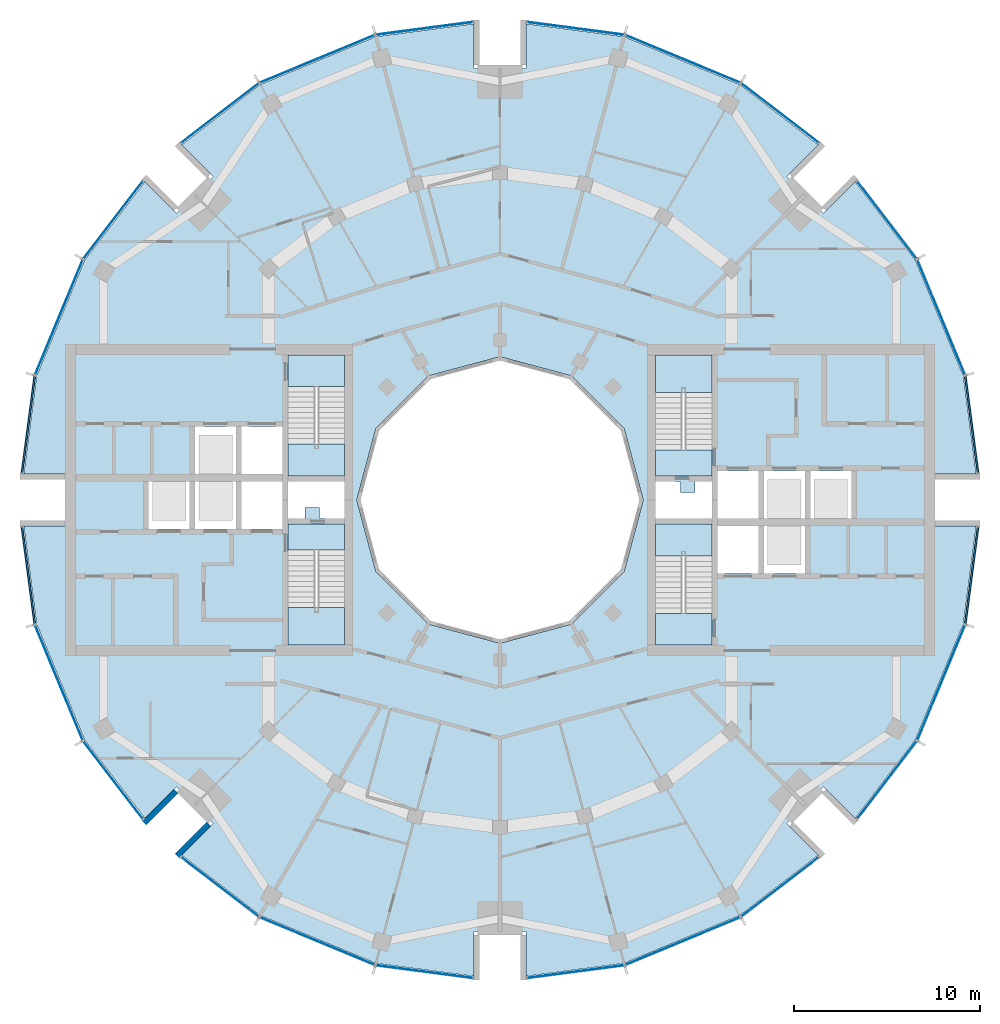
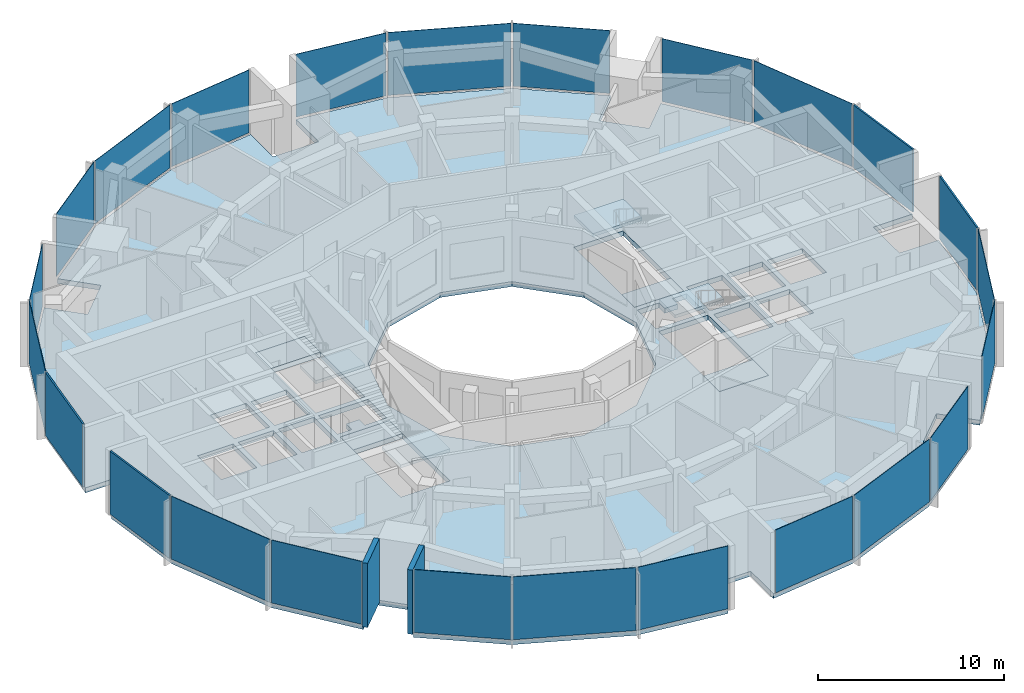
# One storey, part 7 of 15: 24 plates, 9 slabs, 2 walls, 28 elements without a shape of their own.
"""IFC4 building model written with IfcOpenShell, lengths in metres."""

from ifc_helpers import new_model, si_unit, direction, frame, frame_2d, origin, origin_2d, place, context, subcontext, project, spatial, polyline, rectangle, outline, extrude, material, layer, layer_set, type_object, element, aggregate, save


model = new_model("IFC4")

# Units and contexts
model_context = context("Model", 3, precision=1e-05, world=origin(), true_north=direction((0.0, 1.0)))
body_context = subcontext(model_context, "Body", "Model", "MODEL_VIEW")
ifc_project = project(units=[si_unit("LENGTHUNIT", "METRE"), si_unit("AREAUNIT", "SQUARE_METRE"), si_unit("VOLUMEUNIT", "CUBIC_METRE"), si_unit("PLANEANGLEUNIT", "RADIAN"), si_unit("MASSUNIT", "GRAM", prefix="KILO")], contexts=[model_context])

# Site, building, storey
site_placement = place(None, origin())
site = spatial("IfcSite", under=ifc_project, at=site_placement, CompositionType="ELEMENT")
building_placement = place(site_placement, origin())
building = spatial("IfcBuilding", under=site, at=building_placement, Name="Torre Brocal", CompositionType="ELEMENT")
storey_placement = place(building_placement, frame((0.0, 0.0, 225.10009765625)))
storey = spatial("IfcBuildingStorey", under=building, at=storey_placement, Name="L52", CompositionType="ELEMENT", Elevation=225.10009765625)

# Curtain wall, plate
ifc_material_1 = material(Name="Aluminium and glass", Category="aluminium")
ifc_layer_1 = layer(ifc_material_1, 0.199951171875)
ifc_layer_set_1 = layer_set([ifc_layer_1], Name="Aluminium and glass")
curtain_wall_type_1 = type_object("IfcCurtainWallType", Name="CW-1 CURTAIN WALL 4200 HIGH", PredefinedType="NOTDEFINED", material=ifc_layer_set_1)
curtain_wall_1_placement = place(storey_placement, origin())
curtain_wall_1 = element("IfcCurtainWall", 1, at=curtain_wall_1_placement, inside=storey, type_object=curtain_wall_type_1, Name="CW-1 RUN 2", PredefinedType="NOTDEFINED")
ifc_material_2 = material(Name="Glass, dark tinted laminated", Category="glass")
ifc_layer_2 = layer(ifc_material_2, 0.031982421875)
ifc_layer_set_2 = layer_set([ifc_layer_2], Name="Glass, dark tinted laminated")
plate_type_1 = type_object("IfcPlateType", Name="CW-1 GLASS PANEL 32", PredefinedType="CURTAIN_PANEL", material=ifc_layer_set_2)
plate_1_placement = place(storey_placement, frame((103.722900390625, 84.826416015625, 0.079833984375), z_axis=(0.0, 0.0, 1.0), x_axis=(-0.382683432333, 0.923879532525, 0.0)))
plate_1 = element("IfcPlate", 2, at=plate_1_placement, type_object=plate_type_1, Name="CW1-5 panel 1.1", PredefinedType="CURTAIN_PANEL", context=body_context, shape_type="SweptSolid", body=[
    extrude(rectangle(XDim=6.64111328125, YDim=0.031982421875, at=origin_2d()), origin(), (0.0, 0.0, 1.0), 4.1201171875),
])
aggregate(curtain_wall_1, [plate_1])

curtain_wall_2_placement = place(storey_placement, origin())
curtain_wall_2 = element("IfcCurtainWall", 3, at=curtain_wall_2_placement, inside=storey, type_object=curtain_wall_type_1, Name="CW-1 RUN 3", PredefinedType="NOTDEFINED")
plate_2_placement = place(storey_placement, frame((100.80126953125, 90.0712890625, 0.079833984375), z_axis=(0.0, 0.0, 1.0), x_axis=(-0.60876142905, 0.793353340259, 0.0)))
plate_2 = element("IfcPlate", 4, at=plate_2_placement, type_object=plate_type_1, Name="CW1-5 panel 1.1", PredefinedType="CURTAIN_PANEL", context=body_context, shape_type="SweptSolid", body=[
    extrude(rectangle(XDim=5.22900390625, YDim=0.031982421875, at=origin_2d()), origin(), (0.0, 0.0, 1.0), 4.1201171875),
])
aggregate(curtain_wall_2, [plate_2])

curtain_wall_3_placement = place(storey_placement, origin())
curtain_wall_3 = element("IfcCurtainWall", 5, at=curtain_wall_3_placement, inside=storey, type_object=curtain_wall_type_1, Name="CW-1 RUN 4", PredefinedType="NOTDEFINED")
plate_3_placement = place(storey_placement, frame((95.0712890625, 95.80126953125, 0.079833984375), z_axis=(0.0, 0.0, 1.0), x_axis=(-0.793353340259, 0.60876142905, 0.0)))
plate_3 = element("IfcPlate", 6, at=plate_3_placement, type_object=plate_type_1, Name="CW1-5 panel 1.1", PredefinedType="CURTAIN_PANEL", context=body_context, shape_type="SweptSolid", body=[
    extrude(rectangle(XDim=5.22900390625, YDim=0.031982421875, at=origin_2d()), origin(), (0.0, 0.0, 1.0), 4.1201171875),
])
aggregate(curtain_wall_3, [plate_3])

curtain_wall_4_placement = place(storey_placement, origin())
curtain_wall_4 = element("IfcCurtainWall", 7, at=curtain_wall_4_placement, inside=storey, type_object=curtain_wall_type_1, Name="CW-1 RUN 5", PredefinedType="NOTDEFINED")
plate_4_placement = place(storey_placement, frame((89.826416015625, 98.722900390625, 0.079833984375), z_axis=(0.0, 0.0, 1.0), x_axis=(-0.923879532525, 0.382683432333, 0.0)))
plate_4 = element("IfcPlate", 8, at=plate_4_placement, type_object=plate_type_1, Name="CW1-5 panel 1.1", PredefinedType="CURTAIN_PANEL", context=body_context, shape_type="SweptSolid", body=[
    extrude(rectangle(XDim=6.64111328125, YDim=0.031982421875, at=origin_2d()), origin(), (0.0, 0.0, 1.0), 4.1201171875),
])
aggregate(curtain_wall_4, [plate_4])

curtain_wall_5_placement = place(storey_placement, origin())
curtain_wall_5 = element("IfcCurtainWall", 9, at=curtain_wall_5_placement, inside=storey, type_object=curtain_wall_type_1, Name="CW-1 RUN 6", PredefinedType="NOTDEFINED")
plate_5_placement = place(storey_placement, frame((84.051513671875, 100.36572265625, 0.079833984375), z_axis=(0.0, 0.0, 1.0), x_axis=(-0.991444861374, 0.13052619222, 0.0)))
plate_5 = element("IfcPlate", 10, at=plate_5_placement, type_object=plate_type_1, Name="CW1-5 panel 1.1", PredefinedType="CURTAIN_PANEL", context=body_context, shape_type="SweptSolid", body=[
    extrude(rectangle(XDim=5.22900390625, YDim=0.031982421875, at=origin_2d()), origin(), (0.0, 0.0, 1.0), 4.1201171875),
])
aggregate(curtain_wall_5, [plate_5])

curtain_wall_6_placement = place(storey_placement, origin())
curtain_wall_6 = element("IfcCurtainWall", 11, at=curtain_wall_6_placement, inside=storey, type_object=curtain_wall_type_1, Name="CW-1 RUN 7", PredefinedType="NOTDEFINED")
plate_6_placement = place(storey_placement, frame((75.948486328125, 100.36572265625, 0.079833984375), z_axis=(0.0, 0.0, 1.0), x_axis=(-0.991444861374, -0.13052619222, 0.0)))
plate_6 = element("IfcPlate", 12, at=plate_6_placement, type_object=plate_type_1, Name="CW1-5 panel 1.1", PredefinedType="CURTAIN_PANEL", context=body_context, shape_type="SweptSolid", body=[
    extrude(rectangle(XDim=5.22900390625, YDim=0.031982421875, at=origin_2d()), origin(), (0.0, 0.0, 1.0), 4.1201171875),
])
aggregate(curtain_wall_6, [plate_6])

curtain_wall_7_placement = place(storey_placement, origin())
curtain_wall_7 = element("IfcCurtainWall", 13, at=curtain_wall_7_placement, inside=storey, type_object=curtain_wall_type_1, Name="CW-1 RUN 8", PredefinedType="NOTDEFINED")
plate_7_placement = place(storey_placement, frame((70.173583984375, 98.722900390625, 0.079833984375), z_axis=(0.0, 0.0, 1.0), x_axis=(-0.923879532525, -0.382683432333, 0.0)))
plate_7 = element("IfcPlate", 14, at=plate_7_placement, type_object=plate_type_1, Name="CW1-5 panel 1.1", PredefinedType="CURTAIN_PANEL", context=body_context, shape_type="SweptSolid", body=[
    extrude(rectangle(XDim=6.64111328125, YDim=0.031982421875, at=origin_2d()), origin(), (0.0, 0.0, 1.0), 4.1201171875),
])
aggregate(curtain_wall_7, [plate_7])

curtain_wall_8_placement = place(storey_placement, origin())
curtain_wall_8 = element("IfcCurtainWall", 15, at=curtain_wall_8_placement, inside=storey, type_object=curtain_wall_type_1, Name="CW-1 RUN 9", PredefinedType="NOTDEFINED")
plate_8_placement = place(storey_placement, frame((64.9287109375, 95.80126953125, 0.079833984375), z_axis=(0.0, 0.0, 1.0), x_axis=(-0.793353340259, -0.60876142905, 0.0)))
plate_8 = element("IfcPlate", 16, at=plate_8_placement, type_object=plate_type_1, Name="CW1-5 panel 1.1", PredefinedType="CURTAIN_PANEL", context=body_context, shape_type="SweptSolid", body=[
    extrude(rectangle(XDim=5.22900390625, YDim=0.031982421875, at=origin_2d()), origin(), (0.0, 0.0, 1.0), 4.1201171875),
])
aggregate(curtain_wall_8, [plate_8])

curtain_wall_9_placement = place(storey_placement, origin())
curtain_wall_9 = element("IfcCurtainWall", 17, at=curtain_wall_9_placement, inside=storey, type_object=curtain_wall_type_1, Name="CW-1 RUN 10", PredefinedType="NOTDEFINED")
plate_9_placement = place(storey_placement, frame((59.19873046875, 90.0712890625, 0.079833984375), z_axis=(0.0, 0.0, 1.0), x_axis=(-0.60876142905, -0.793353340259, 0.0)))
plate_9 = element("IfcPlate", 18, at=plate_9_placement, type_object=plate_type_1, Name="CW1-5 panel 1.1", PredefinedType="CURTAIN_PANEL", context=body_context, shape_type="SweptSolid", body=[
    extrude(rectangle(XDim=5.22900390625, YDim=0.031982421875, at=origin_2d()), origin(), (0.0, 0.0, 1.0), 4.1201171875),
])
aggregate(curtain_wall_9, [plate_9])

curtain_wall_10_placement = place(storey_placement, origin())
curtain_wall_10 = element("IfcCurtainWall", 19, at=curtain_wall_10_placement, inside=storey, type_object=curtain_wall_type_1, Name="CW-1 RUN 11", PredefinedType="NOTDEFINED")
plate_10_placement = place(storey_placement, frame((56.277099609375, 84.826416015625, 0.079833984375), z_axis=(0.0, 0.0, 1.0), x_axis=(-0.382683432333, -0.923879532525, 0.0)))
plate_10 = element("IfcPlate", 20, at=plate_10_placement, type_object=plate_type_1, Name="CW1-5 panel 1.1", PredefinedType="CURTAIN_PANEL", context=body_context, shape_type="SweptSolid", body=[
    extrude(rectangle(XDim=6.64111328125, YDim=0.031982421875, at=origin_2d()), origin(), (0.0, 0.0, 1.0), 4.1201171875),
])
aggregate(curtain_wall_10, [plate_10])

curtain_wall_11_placement = place(storey_placement, origin())
curtain_wall_11 = element("IfcCurtainWall", 21, at=curtain_wall_11_placement, inside=storey, type_object=curtain_wall_type_1, Name="CW-1 RUN 14", PredefinedType="NOTDEFINED")
plate_11_placement = place(storey_placement, frame((56.277099609375, 65.173583984375, 0.079833984375), z_axis=(0.0, 0.0, 1.0), x_axis=(0.382683432333, -0.923879532525, 0.0)))
plate_11 = element("IfcPlate", 22, at=plate_11_placement, type_object=plate_type_1, Name="CW1-5 panel 1.1", PredefinedType="CURTAIN_PANEL", context=body_context, shape_type="SweptSolid", body=[
    extrude(rectangle(XDim=6.64111328125, YDim=0.031982421875, at=origin_2d()), origin(), (0.0, 0.0, 1.0), 4.1201171875),
])
aggregate(curtain_wall_11, [plate_11])

curtain_wall_12_placement = place(storey_placement, origin())
curtain_wall_12 = element("IfcCurtainWall", 23, at=curtain_wall_12_placement, inside=storey, type_object=curtain_wall_type_1, Name="CW-1 RUN 15", PredefinedType="NOTDEFINED")
plate_12_placement = place(storey_placement, frame((59.19873046875, 59.9287109375, 0.079833984375), z_axis=(0.0, 0.0, 1.0), x_axis=(0.60876142905, -0.793353340259, 0.0)))
plate_12 = element("IfcPlate", 24, at=plate_12_placement, type_object=plate_type_1, Name="CW1-5 panel 1.1", PredefinedType="CURTAIN_PANEL", context=body_context, shape_type="SweptSolid", body=[
    extrude(rectangle(XDim=5.22900390625, YDim=0.031982421875, at=origin_2d()), origin(), (0.0, 0.0, 1.0), 4.1201171875),
])
aggregate(curtain_wall_12, [plate_12])

curtain_wall_13_placement = place(storey_placement, origin())
curtain_wall_13 = element("IfcCurtainWall", 25, at=curtain_wall_13_placement, inside=storey, type_object=curtain_wall_type_1, Name="CW-1 RUN 16", PredefinedType="NOTDEFINED")
plate_13_placement = place(storey_placement, frame((64.9287109375, 54.19873046875, 0.079833984375), z_axis=(0.0, 0.0, 1.0), x_axis=(0.793353340259, -0.60876142905, 0.0)))
plate_13 = element("IfcPlate", 26, at=plate_13_placement, type_object=plate_type_1, Name="CW1-5 panel 1.1", PredefinedType="CURTAIN_PANEL", context=body_context, shape_type="SweptSolid", body=[
    extrude(rectangle(XDim=5.22900390625, YDim=0.031982421875, at=origin_2d()), origin(), (0.0, 0.0, 1.0), 4.1201171875),
])
aggregate(curtain_wall_13, [plate_13])

curtain_wall_14_placement = place(storey_placement, origin())
curtain_wall_14 = element("IfcCurtainWall", 27, at=curtain_wall_14_placement, inside=storey, type_object=curtain_wall_type_1, Name="CW-1 RUN 17", PredefinedType="NOTDEFINED")
plate_14_placement = place(storey_placement, frame((70.173583984375, 51.277099609375, 0.079833984375), z_axis=(0.0, 0.0, 1.0), x_axis=(0.923879532525, -0.382683432333, 0.0)))
plate_14 = element("IfcPlate", 28, at=plate_14_placement, type_object=plate_type_1, Name="CW1-5 panel 1.1", PredefinedType="CURTAIN_PANEL", context=body_context, shape_type="SweptSolid", body=[
    extrude(rectangle(XDim=6.64111328125, YDim=0.031982421875, at=origin_2d()), origin(), (0.0, 0.0, 1.0), 4.1201171875),
])
aggregate(curtain_wall_14, [plate_14])

curtain_wall_15_placement = place(storey_placement, origin())
curtain_wall_15 = element("IfcCurtainWall", 29, at=curtain_wall_15_placement, inside=storey, type_object=curtain_wall_type_1, Name="CW-1 RUN 18", PredefinedType="NOTDEFINED")
plate_15_placement = place(storey_placement, frame((75.948486328125, 49.63427734375, 0.079833984375), z_axis=(0.0, 0.0, 1.0), x_axis=(0.991444861374, -0.13052619222, 0.0)))
plate_15 = element("IfcPlate", 30, at=plate_15_placement, type_object=plate_type_1, Name="CW1-5 panel 1.1", PredefinedType="CURTAIN_PANEL", context=body_context, shape_type="SweptSolid", body=[
    extrude(rectangle(XDim=5.22900390625, YDim=0.031982421875, at=origin_2d()), origin(), (0.0, 0.0, 1.0), 4.1201171875),
])
aggregate(curtain_wall_15, [plate_15])

curtain_wall_16_placement = place(storey_placement, origin())
curtain_wall_16 = element("IfcCurtainWall", 31, at=curtain_wall_16_placement, inside=storey, type_object=curtain_wall_type_1, Name="CW-1 RUN 19", PredefinedType="NOTDEFINED")
plate_16_placement = place(storey_placement, frame((84.051513671875, 49.63427734375, 0.079833984375), z_axis=(0.0, 0.0, 1.0), x_axis=(0.991444861374, 0.13052619222, 0.0)))
plate_16 = element("IfcPlate", 32, at=plate_16_placement, type_object=plate_type_1, Name="CW1-5 panel 1.1", PredefinedType="CURTAIN_PANEL", context=body_context, shape_type="SweptSolid", body=[
    extrude(rectangle(XDim=5.22900390625, YDim=0.031982421875, at=origin_2d()), origin(), (0.0, 0.0, 1.0), 4.1201171875),
])
aggregate(curtain_wall_16, [plate_16])

curtain_wall_17_placement = place(storey_placement, origin())
curtain_wall_17 = element("IfcCurtainWall", 33, at=curtain_wall_17_placement, inside=storey, type_object=curtain_wall_type_1, Name="CW-1 RUN 20", PredefinedType="NOTDEFINED")
plate_17_placement = place(storey_placement, frame((89.826416015625, 51.277099609375, 0.079833984375), z_axis=(0.0, 0.0, 1.0), x_axis=(0.923879532525, 0.382683432333, 0.0)))
plate_17 = element("IfcPlate", 34, at=plate_17_placement, type_object=plate_type_1, Name="CW1-5 panel 1.1", PredefinedType="CURTAIN_PANEL", context=body_context, shape_type="SweptSolid", body=[
    extrude(rectangle(XDim=6.64111328125, YDim=0.031982421875, at=origin_2d()), origin(), (0.0, 0.0, 1.0), 4.1201171875),
])
aggregate(curtain_wall_17, [plate_17])

curtain_wall_18_placement = place(storey_placement, origin())
curtain_wall_18 = element("IfcCurtainWall", 35, at=curtain_wall_18_placement, inside=storey, type_object=curtain_wall_type_1, Name="CW-1 RUN 21", PredefinedType="NOTDEFINED")
plate_18_placement = place(storey_placement, frame((95.0712890625, 54.19873046875, 0.079833984375), z_axis=(0.0, 0.0, 1.0), x_axis=(0.793353340259, 0.60876142905, 0.0)))
plate_18 = element("IfcPlate", 36, at=plate_18_placement, type_object=plate_type_1, Name="CW1-5 panel 1.1", PredefinedType="CURTAIN_PANEL", context=body_context, shape_type="SweptSolid", body=[
    extrude(rectangle(XDim=5.22900390625, YDim=0.031982421875, at=origin_2d()), origin(), (0.0, 0.0, 1.0), 4.1201171875),
])
aggregate(curtain_wall_18, [plate_18])

curtain_wall_19_placement = place(storey_placement, origin())
curtain_wall_19 = element("IfcCurtainWall", 37, at=curtain_wall_19_placement, inside=storey, type_object=curtain_wall_type_1, Name="CW-1 RUN 22", PredefinedType="NOTDEFINED")
plate_19_placement = place(storey_placement, frame((100.80126953125, 59.9287109375, 0.079833984375), z_axis=(0.0, 0.0, 1.0), x_axis=(0.60876142905, 0.793353340259, 0.0)))
plate_19 = element("IfcPlate", 38, at=plate_19_placement, type_object=plate_type_1, Name="CW1-5 panel 1.1", PredefinedType="CURTAIN_PANEL", context=body_context, shape_type="SweptSolid", body=[
    extrude(rectangle(XDim=5.22900390625, YDim=0.031982421875, at=origin_2d()), origin(), (0.0, 0.0, 1.0), 4.1201171875),
])
aggregate(curtain_wall_19, [plate_19])

curtain_wall_20_placement = place(storey_placement, origin())
curtain_wall_20 = element("IfcCurtainWall", 39, at=curtain_wall_20_placement, inside=storey, type_object=curtain_wall_type_1, Name="CW-1 RUN 23", PredefinedType="NOTDEFINED")
plate_20_placement = place(storey_placement, frame((103.722900390625, 65.173583984375, 0.079833984375), z_axis=(0.0, 0.0, 1.0), x_axis=(0.382683432333, 0.923879532525, 0.0)))
plate_20 = element("IfcPlate", 40, at=plate_20_placement, type_object=plate_type_1, Name="CW1-5 panel 1.1", PredefinedType="CURTAIN_PANEL", context=body_context, shape_type="SweptSolid", body=[
    extrude(rectangle(XDim=6.64111328125, YDim=0.031982421875, at=origin_2d()), origin(), (0.0, 0.0, 1.0), 4.1201171875),
])
aggregate(curtain_wall_20, [plate_20])

ifc_material_3 = material(Name="Aluminium and glass", Category="aluminium")
ifc_layer_3 = layer(ifc_material_3, 0.199951171875)
ifc_layer_set_3 = layer_set([ifc_layer_3], Name="Aluminium and glass")
curtain_wall_type_2 = type_object("IfcCurtainWallType", Name="CW-1B CURTAIN WALL 4200 HIGH", PredefinedType="NOTDEFINED", material=ifc_layer_set_3)
curtain_wall_21_placement = place(storey_placement, origin())
curtain_wall_21 = element("IfcCurtainWall", 41, at=curtain_wall_21_placement, inside=storey, type_object=curtain_wall_type_2, Name="CW-1B RUN 1", PredefinedType="NOTDEFINED")
ifc_material_4 = material(Name="Aluminium composite panel", Category="aluminium")
ifc_layer_4 = layer(ifc_material_4, 0.10009765625)
ifc_layer_set_4 = layer_set([ifc_layer_4], Name="Aluminium composite panel")
plate_type_2 = type_object("IfcPlateType", Name="CW-1B OPAQUE PANEL 100", PredefinedType="CURTAIN_PANEL", material=ifc_layer_set_4)
plate_21_placement = place(storey_placement, frame((105.36572265625, 79.051513671875, 0.079833984375), z_axis=(0.0, 0.0, 1.0), x_axis=(-0.13052619222, 0.991444861374, 0.0)))
plate_21 = element("IfcPlate", 42, at=plate_21_placement, type_object=plate_type_2, Name="CW1B-5 panel 1.1", PredefinedType="CURTAIN_PANEL", context=body_context, shape_type="SweptSolid", body=[
    extrude(rectangle(XDim=5.22900390625, YDim=0.10009765625, at=origin_2d()), origin(), (0.0, 0.0, 1.0), 4.1201171875),
])
aggregate(curtain_wall_21, [plate_21])

curtain_wall_22_placement = place(storey_placement, origin())
curtain_wall_22 = element("IfcCurtainWall", 43, at=curtain_wall_22_placement, inside=storey, type_object=curtain_wall_type_2, Name="CW-1B RUN 12", PredefinedType="NOTDEFINED")
plate_22_placement = place(storey_placement, frame((54.63427734375, 79.051513671875, 0.079833984375), z_axis=(0.0, 0.0, 1.0), x_axis=(-0.13052619222, -0.991444861374, 0.0)))
plate_22 = element("IfcPlate", 44, at=plate_22_placement, type_object=plate_type_2, Name="CW1B-5 panel 1.1", PredefinedType="CURTAIN_PANEL", context=body_context, shape_type="SweptSolid", body=[
    extrude(rectangle(XDim=5.22900390625, YDim=0.10009765625, at=origin_2d()), origin(), (0.0, 0.0, 1.0), 4.1201171875),
])
aggregate(curtain_wall_22, [plate_22])

curtain_wall_23_placement = place(storey_placement, origin())
curtain_wall_23 = element("IfcCurtainWall", 45, at=curtain_wall_23_placement, inside=storey, type_object=curtain_wall_type_2, Name="CW-1B RUN 13", PredefinedType="NOTDEFINED")
plate_23_placement = place(storey_placement, frame((54.63427734375, 70.948486328125, 0.079833984375), z_axis=(0.0, 0.0, 1.0), x_axis=(0.13052619222, -0.991444861374, 0.0)))
plate_23 = element("IfcPlate", 46, at=plate_23_placement, type_object=plate_type_2, Name="CW1B-5 panel 1.1", PredefinedType="CURTAIN_PANEL", context=body_context, shape_type="SweptSolid", body=[
    extrude(rectangle(XDim=5.22900390625, YDim=0.10009765625, at=origin_2d()), origin(), (0.0, 0.0, 1.0), 4.1201171875),
])
aggregate(curtain_wall_23, [plate_23])

curtain_wall_24_placement = place(storey_placement, origin())
curtain_wall_24 = element("IfcCurtainWall", 47, at=curtain_wall_24_placement, inside=storey, type_object=curtain_wall_type_2, Name="CW-1B RUN 24", PredefinedType="NOTDEFINED")
plate_24_placement = place(storey_placement, frame((105.36572265625, 70.948486328125, 0.079833984375), z_axis=(0.0, 0.0, 1.0), x_axis=(0.13052619222, 0.991444861374, 0.0)))
plate_24 = element("IfcPlate", 48, at=plate_24_placement, type_object=plate_type_2, Name="CW1B-5 panel 1.1", PredefinedType="CURTAIN_PANEL", context=body_context, shape_type="SweptSolid", body=[
    extrude(rectangle(XDim=5.22900390625, YDim=0.10009765625, at=origin_2d()), origin(), (0.0, 0.0, 1.0), 4.1201171875),
])
aggregate(curtain_wall_24, [plate_24])

# Stair, slab
ifc_material_5 = material(Name="Concrete C50", Category="concrete")
stair_type = type_object("IfcStairType", Name="EXIT STAIR", PredefinedType="HALF_TURN_STAIR", material=ifc_material_5)
stair_1_placement = place(storey_placement, origin())
stair_1 = element("IfcStair", 49, at=stair_1_placement, inside=storey, type_object=stair_type, Name="EXIT STAIR ST1", PredefinedType="HALF_TURN_STAIR")
ifc_material_6 = material(Name="Concrete C50", Category="concrete")
ifc_layer_5 = layer(ifc_material_6, 0.320068359375)
ifc_layer_set_5 = layer_set([ifc_layer_5], Name="Concrete C50")
slab_type_1 = type_object("IfcSlabType", Name="FLOOR LANDING 320", PredefinedType="LANDING", material=ifc_layer_set_5)
slab_1_placement = place(storey_placement, frame((0.0, 0.0, -0.320068359375)))
slab_1 = element("IfcSlab", 50, at=slab_1_placement, type_object=slab_type_1, Name="ST1 landing 1", PredefinedType="LANDING", context=body_context, shape_type="SweptSolid", body=[
    extrude(outline(polyline([(88.35009765625, 76.300048828125), (91.39990234375, 76.300048828125), (91.39990234375, 77.699951171875), (88.35009765625, 77.699951171875), (88.35009765625, 76.300048828125)])), origin(), (0.0, 0.0, 1.0), 0.320068359375),
])

stair_2_placement = place(storey_placement, origin())
stair_2 = element("IfcStair", 51, at=stair_2_placement, inside=storey, type_object=stair_type, Name="EXIT STAIR ST2", PredefinedType="HALF_TURN_STAIR")
slab_2_placement = place(storey_placement, frame((0.0, 0.0, -0.320068359375)))
slab_2 = element("IfcSlab", 52, at=slab_2_placement, type_object=slab_type_1, Name="ST2 landing 1", PredefinedType="LANDING", context=body_context, shape_type="SweptSolid", body=[
    extrude(outline(polyline([(88.35009765625, 67.199951171875), (91.39990234375, 67.199951171875), (91.39990234375, 68.89990234375), (88.35009765625, 68.89990234375), (88.35009765625, 67.199951171875)])), origin(), (0.0, 0.0, 1.0), 0.320068359375),
])

stair_3_placement = place(storey_placement, origin())
stair_3 = element("IfcStair", 53, at=stair_3_placement, inside=storey, type_object=stair_type, Name="EXIT STAIR ST3", PredefinedType="HALF_TURN_STAIR")
slab_3_placement = place(storey_placement, frame((0.0, 0.0, -0.320068359375)))
slab_3 = element("IfcSlab", 54, at=slab_3_placement, type_object=slab_type_1, Name="ST3 landing 1", PredefinedType="LANDING", context=body_context, shape_type="SweptSolid", body=[
    extrude(outline(polyline([(71.64990234375, 73.699951171875), (68.60009765625, 73.699951171875), (68.60009765625, 72.300048828125), (71.64990234375, 72.300048828125), (71.64990234375, 73.699951171875)])), origin(), (0.0, 0.0, 1.0), 0.320068359375),
])

stair_4_placement = place(storey_placement, origin())
stair_4 = element("IfcStair", 55, at=stair_4_placement, inside=storey, type_object=stair_type, Name="EXIT STAIR ST4", PredefinedType="HALF_TURN_STAIR")
slab_4_placement = place(storey_placement, frame((0.0, 0.0, -0.320068359375)))
slab_4 = element("IfcSlab", 56, at=slab_4_placement, type_object=slab_type_1, Name="ST4 landing 1", PredefinedType="LANDING", context=body_context, shape_type="SweptSolid", body=[
    extrude(outline(polyline([(71.64990234375, 82.800048828125), (68.60009765625, 82.800048828125), (68.60009765625, 81.10009765625), (71.64990234375, 81.10009765625), (71.64990234375, 82.800048828125)])), origin(), (0.0, 0.0, 1.0), 0.320068359375),
])

# Slab
ifc_material_7 = material(Name="Concrete C50", Category="concrete")
ifc_layer_6 = layer(ifc_material_7, 0.199951171875)
ifc_layer_set_6 = layer_set([ifc_layer_6], Name="Concrete C50")
slab_type_2 = type_object("IfcSlabType", Name="MID LANDING +2100", PredefinedType="LANDING", material=ifc_layer_set_6)
slab_5_placement = place(storey_placement, frame((0.0, 0.0, 1.89990234375)))
slab_5 = element("IfcSlab", 57, at=slab_5_placement, type_object=slab_type_2, Name="ST1 landing 2", PredefinedType="LANDING", context=body_context, shape_type="SweptSolid", body=[
    extrude(outline(polyline([(88.35009765625, 80.780029296875), (91.39990234375, 80.780029296875), (91.39990234375, 82.800048828125), (88.35009765625, 82.800048828125), (88.35009765625, 80.780029296875)])), origin(), (0.0, 0.0, 1.0), 0.199951171875),
])

aggregate(stair_1, [slab_1, slab_5])

slab_6_placement = place(storey_placement, frame((0.0, 0.0, 1.89990234375)))
slab_6 = element("IfcSlab", 58, at=slab_6_placement, type_object=slab_type_2, Name="ST2 landing 2", PredefinedType="LANDING", context=body_context, shape_type="SweptSolid", body=[
    extrude(outline(polyline([(88.35009765625, 71.97998046875), (91.39990234375, 71.97998046875), (91.39990234375, 73.699951171875), (88.35009765625, 73.699951171875), (88.35009765625, 71.97998046875)])), origin(), (0.0, 0.0, 1.0), 0.199951171875),
])

aggregate(stair_2, [slab_2, slab_6])

slab_7_placement = place(storey_placement, frame((0.0, 0.0, 1.89990234375)))
slab_7 = element("IfcSlab", 59, at=slab_7_placement, type_object=slab_type_2, Name="ST3 landing 2", PredefinedType="LANDING", context=body_context, shape_type="SweptSolid", body=[
    extrude(outline(polyline([(71.64990234375, 69.219970703125), (68.60009765625, 69.219970703125), (68.60009765625, 67.199951171875), (71.64990234375, 67.199951171875), (71.64990234375, 69.219970703125)])), origin(), (0.0, 0.0, 1.0), 0.199951171875),
])

aggregate(stair_3, [slab_3, slab_7])

slab_8_placement = place(storey_placement, frame((0.0, 0.0, 1.89990234375)))
slab_8 = element("IfcSlab", 60, at=slab_8_placement, type_object=slab_type_2, Name="ST4 landing 2", PredefinedType="LANDING", context=body_context, shape_type="SweptSolid", body=[
    extrude(outline(polyline([(71.64990234375, 78.02001953125), (68.60009765625, 78.02001953125), (68.60009765625, 76.300048828125), (71.64990234375, 76.300048828125), (71.64990234375, 78.02001953125)])), origin(), (0.0, 0.0, 1.0), 0.199951171875),
])

aggregate(stair_4, [slab_4, slab_8])

ifc_material_8 = material(Name="Concrete C45", Category="concrete")
ifc_layer_7 = layer(ifc_material_8, 0.320068359375)
ifc_layer_set_7 = layer_set([ifc_layer_7], Name="Concrete C45")
slab_type_3 = type_object("IfcSlabType", Name="PT FLOOR SLAB 320 C45", PredefinedType="FLOOR", material=ifc_layer_set_7)
slab_9_placement = place(storey_placement, frame((0.0, 0.0, -0.320068359375)))
element("IfcSlab", 61, at=slab_9_placement, inside=storey, type_object=slab_type_3, Name="Slab ST-05", PredefinedType="FLOOR", context=body_context, shape_type="SweptSolid", body=[
    extrude(outline(polyline([(103.199951171875, 76.39990234375), (103.199951171875, 73.60009765625), (105.614013671875, 73.60009765625), (104.919189453125, 68.322998046875), (102.342041015625, 62.100830078125), (99.101806640625, 57.878173828125), (97.394775390625, 59.5849609375), (95.4150390625, 57.605224609375), (97.121826171875, 55.898193359375), (92.899169921875, 52.657958984375), (86.677001953125, 50.080810546875), (81.39990234375, 49.385986328125), (81.39990234375, 51.800048828125), (78.60009765625, 51.800048828125), (78.60009765625, 49.385986328125), (73.322998046875, 50.080810546875), (67.100830078125, 52.657958984375), (62.878173828125, 55.898193359375), (64.5849609375, 57.605224609375), (62.605224609375, 59.5849609375), (60.898193359375, 57.878173828125), (57.657958984375, 62.100830078125), (55.080810546875, 68.322998046875), (54.385986328125, 73.60009765625), (56.800048828125, 73.60009765625), (56.800048828125, 76.39990234375), (54.385986328125, 76.39990234375), (55.080810546875, 81.677001953125), (57.657958984375, 87.899169921875), (60.898193359375, 92.121826171875), (62.605224609375, 90.4150390625), (64.5849609375, 92.394775390625), (62.878173828125, 94.101806640625), (67.100830078125, 97.342041015625), (73.322998046875, 99.919189453125), (78.60009765625, 100.614013671875), (78.60009765625, 98.199951171875), (81.39990234375, 98.199951171875), (81.39990234375, 100.614013671875), (86.677001953125, 99.919189453125), (92.899169921875, 97.342041015625), (97.121826171875, 94.101806640625), (95.4150390625, 92.394775390625), (97.394775390625, 90.4150390625), (99.101806640625, 92.121826171875), (102.342041015625, 87.899169921875), (104.919189453125, 81.677001953125), (105.614013671875, 76.39990234375), (103.199951171875, 76.39990234375)]), holes=[polyline([(98.89990234375, 76.550048828125), (96.699951171875, 76.550048828125), (96.699951171875, 74.0), (98.89990234375, 74.0), (98.89990234375, 76.550048828125)]), polyline([(96.39990234375, 76.550048828125), (94.199951171875, 76.550048828125), (94.199951171875, 74.0), (96.39990234375, 74.0), (96.39990234375, 76.550048828125)]), polyline([(96.39990234375, 73.60009765625), (94.199951171875, 73.60009765625), (94.199951171875, 71.050048828125), (96.39990234375, 71.050048828125), (96.39990234375, 73.60009765625)]), polyline([(93.89990234375, 76.550048828125), (91.699951171875, 76.550048828125), (91.699951171875, 74.0), (93.89990234375, 74.0), (93.89990234375, 76.550048828125)]), polyline([(93.89990234375, 73.60009765625), (91.699951171875, 73.60009765625), (91.699951171875, 71.050048828125), (93.89990234375, 71.050048828125), (93.89990234375, 73.60009765625)]), polyline([(89.699951171875, 76.0), (88.35009765625, 76.0), (88.35009765625, 74.0), (91.39990234375, 74.0), (91.39990234375, 76.0), (90.5, 76.0), (90.5, 75.39990234375), (89.699951171875, 75.39990234375), (89.699951171875, 76.0)]), polyline([(91.39990234375, 82.800048828125), (88.35009765625, 82.800048828125), (88.35009765625, 76.300048828125), (91.39990234375, 76.300048828125), (91.39990234375, 82.800048828125)]), polyline([(91.39990234375, 73.699951171875), (88.35009765625, 73.699951171875), (88.35009765625, 67.199951171875), (91.39990234375, 67.199951171875), (91.39990234375, 73.699951171875)]), polyline([(80.0, 82.70703125), (76.146484375, 81.674560546875), (73.325439453125, 78.853515625), (72.29296875, 75.0), (73.325439453125, 71.146484375), (76.146484375, 68.325439453125), (80.0, 67.29296875), (83.853515625, 68.325439453125), (86.674560546875, 71.146484375), (87.70703125, 75.0), (86.674560546875, 78.853515625), (83.853515625, 81.674560546875), (80.0, 82.70703125)]), polyline([(70.300048828125, 74.0), (71.64990234375, 74.0), (71.64990234375, 76.0), (68.60009765625, 76.0), (68.60009765625, 74.0), (69.5, 74.0), (69.5, 74.60009765625), (70.300048828125, 74.60009765625), (70.300048828125, 74.0)]), polyline([(68.60009765625, 76.300048828125), (71.64990234375, 76.300048828125), (71.64990234375, 82.800048828125), (68.60009765625, 82.800048828125), (68.60009765625, 76.300048828125)]), polyline([(68.60009765625, 67.199951171875), (71.64990234375, 67.199951171875), (71.64990234375, 73.699951171875), (68.60009765625, 73.699951171875), (68.60009765625, 67.199951171875)]), polyline([(66.10009765625, 76.39990234375), (68.300048828125, 76.39990234375), (68.300048828125, 78.949951171875), (66.10009765625, 78.949951171875), (66.10009765625, 76.39990234375)]), polyline([(66.10009765625, 73.449951171875), (68.300048828125, 73.449951171875), (68.300048828125, 76.0), (66.10009765625, 76.0), (66.10009765625, 73.449951171875)]), polyline([(63.60009765625, 76.39990234375), (65.800048828125, 76.39990234375), (65.800048828125, 78.949951171875), (63.60009765625, 78.949951171875), (63.60009765625, 76.39990234375)]), polyline([(63.60009765625, 73.449951171875), (65.800048828125, 73.449951171875), (65.800048828125, 76.0), (63.60009765625, 76.0), (63.60009765625, 73.449951171875)]), polyline([(61.10009765625, 73.449951171875), (63.300048828125, 73.449951171875), (63.300048828125, 76.0), (61.10009765625, 76.0), (61.10009765625, 73.449951171875)])]), origin(), (0.0, 0.0, 1.0), 0.320068359375),
])

# Walls
ifc_material_9 = material(Name="Concrete C60", Category="concrete")
ifc_layer_8 = layer(ifc_material_9, 0.300048828125)
ifc_layer_set_8 = layer_set([ifc_layer_8], Name="Concrete C60")
wall_type = type_object("IfcWallType", Name="NOTCH RETURN WALL 300 C60", PredefinedType="NOTDEFINED", material=ifc_layer_set_8)
for number, where, z_axis, x_axis, name in (
    (62, (62.56982421875, 59.337646484375, 0.0), (0.0, 0.0, 1.0), (-0.707106781187, -0.707106781187, 0.0), "NOTCH RETURN WALL"),
    (63, (64.337646484375, 57.56982421875, 0.0), (0.0, 0.0, 1.0), (-0.707106781187, -0.707106781187, 0.0), "NOTCH RETURN WALL"),
):
    element("IfcWall", number, at=place(storey_placement, frame(where, z_axis=z_axis, x_axis=x_axis)), inside=storey, type_object=wall_type, Name=name, PredefinedType="NOTDEFINED", context=body_context, shape_type="SweptSolid", body=[
        extrude(rectangle(XDim=2.415771484375, YDim=0.300048828125, at=frame_2d((1.2080078125, 0.0))), origin(), (0.0, 0.0, 1.0), 4.199951171875),
    ])

save(model, "model.ifc")
